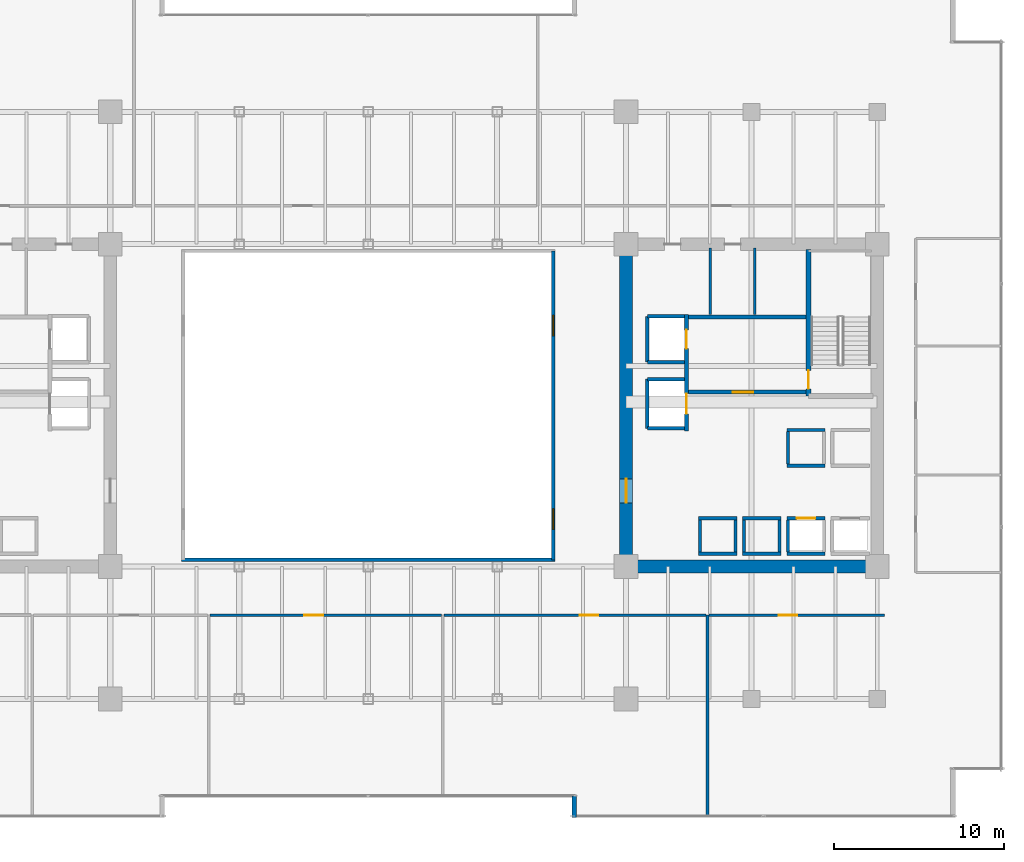
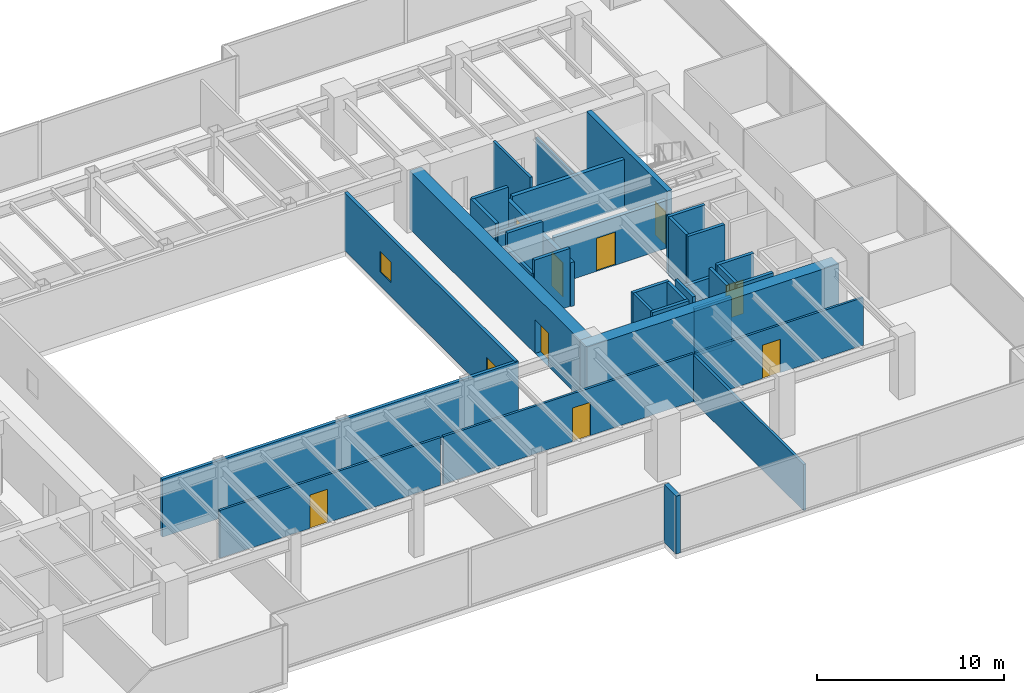
# One storey, part 30 of 35: 35 walls, 9 doors, 2 windows, 11 openings.
"""IFC4 building model written with IfcOpenShell, lengths in metres."""

from ifc_helpers import new_model, si_unit, direction, frame, frame_2d, origin, place, context, subcontext, project, spatial, rectangle, extrude, source, transform, mapped, material, layer, layer_set, type_object, type_shapes, element, fill, save


model = new_model("IFC4")

# Units and contexts
model_context = context("Model", 3, precision=1e-05, world=origin(), true_north=direction((0.0, 1.0)))
body_context = subcontext(model_context, "Body", "Model", "MODEL_VIEW")
ifc_project = project(units=[si_unit("LENGTHUNIT", "METRE"), si_unit("AREAUNIT", "SQUARE_METRE"), si_unit("VOLUMEUNIT", "CUBIC_METRE"), si_unit("PLANEANGLEUNIT", "RADIAN"), si_unit("MASSUNIT", "GRAM", prefix="KILO")], contexts=[model_context])

# Site, building, storey
site_placement = place(None, origin())
site = spatial("IfcSite", under=ifc_project, at=site_placement, CompositionType="ELEMENT")
building_placement = place(site_placement, origin())
building = spatial("IfcBuilding", under=site, at=building_placement, Name="Haelvirn Gate Laboratories", CompositionType="ELEMENT")
storey_placement = place(building_placement, frame((0.0, 0.0, 86.699951171875)))
storey = spatial("IfcBuildingStorey", under=building, at=storey_placement, Name="L21", CompositionType="ELEMENT", Elevation=86.699951171875)

# Walls
ifc_material_1 = material(Name="Thermally-broken bronze aluminium rainscreen & mineral wool", Category="aluminium")
ifc_layer_1 = layer(ifc_material_1, 0.280029296875, Name="EW-TERR-280")
ifc_layer_set_1 = layer_set([ifc_layer_1], Name="Thermally-broken bronze aluminium rainscreen & mineral wool")
wall_type_1 = type_object("IfcWallType", Name="EW-TERR-280", PredefinedType="STANDARD", material=ifc_layer_set_1)
wall_1_placement = place(storey_placement, frame((49.5400390625, 1.2880859375, 0.0), z_axis=(0.0, 0.0, 1.0), x_axis=(0.0, -1.0, 0.0)))
element("IfcWall", 1, at=wall_1_placement, inside=storey, type_object=wall_type_1, Name="L21 Atrium Recess Bronze Return Wall 03", PredefinedType="STANDARD", context=body_context, shape_type="SweptSolid", body=[
    extrude(rectangle(XDim=1.2880859375, YDim=0.280029296875, at=frame_2d((0.64404296875, 0.0))), origin(), (0.0, 0.0, 1.0), 3.780029296875),
])
ifc_material_2 = material(Name="Double-layer acoustic gypsum laboratory partition", Category="gypsum")
ifc_layer_2 = layer(ifc_material_2, 0.159912109375, Name="IW-ACOUST-160")
ifc_layer_set_2 = layer_set([ifc_layer_2], Name="Double-layer acoustic gypsum laboratory partition")
wall_type_2 = type_object("IfcWallType", Name="IW-ACOUST-160", PredefinedType="PARTITIONING", material=ifc_layer_set_2)
wall_2_placement = place(storey_placement, frame((57.39990234375, 0.110107421875, 0.0), z_axis=(0.0, 0.0, 1.0), x_axis=(0.0, 1.0, 0.0)))
element("IfcWall", 2, at=wall_2_placement, inside=storey, type_object=wall_type_2, Name="L21 Interior Wall IW-L21-SDIV-04", PredefinedType="PARTITIONING", context=body_context, shape_type="SweptSolid", body=[
    extrude(rectangle(XDim=11.829833984375, YDim=0.159912109375, at=frame_2d((5.9150390625, 0.0))), origin(), (0.0, 0.0, 1.0), 3.01513671875),
])

# Wall, openings, windows
ifc_material_3 = material(Name="Tempered fire-rated borosilicate glass & anodised aluminium", Category="aluminium")
ifc_layer_3 = layer(ifc_material_3, 0.195068359375, Name="IW-GLAZ-200")
ifc_layer_set_3 = layer_set([ifc_layer_3], Name="Tempered fire-rated borosilicate glass & anodised aluminium")
wall_type_3 = type_object("IfcWallType", Name="IW-GLAZ-200", PredefinedType="SOLIDWALL", material=ifc_layer_set_3)
wall_3_placement = place(storey_placement, frame((48.300048828125, 15.199951171875, 0.0), z_axis=(0.0, 0.0, 1.0), x_axis=(0.0, 1.0, 0.0)))
wall_3 = element("IfcWall", 3, at=wall_3_placement, inside=storey, type_object=wall_type_3, Name="L21 Interior Wall IW-L21-ATRIUM-E", PredefinedType="SOLIDWALL", context=body_context, shape_type="SweptSolid", body=[
    extrude(rectangle(XDim=18.199951171875, YDim=0.195068359375, at=frame_2d((9.10009765625, 0.0))), origin(), (0.0, 0.0, 1.0), 3.780029296875),
])
opening_1_placement = place(wall_3_placement, frame((1.800048828125, 0.0, 0.89990234375)))
opening_1 = element("IfcOpeningElement", 4, at=opening_1_placement, cuts=wall_3, Name="Opening W6", PredefinedType="OPENING", context=body_context, shape_type="SweptSolid", body=[
    extrude(rectangle(XDim=1.199951171875, YDim=1.35009765625, at=frame_2d((0.60009765625, 0.675048828125))), frame((0.0, 0.107421875, 0.0), z_axis=(0.0, -1.0, 0.0), x_axis=(1.0, 0.0, 0.0)), (0.0, 0.0, 1.0), 0.215087890625),
])
opening_2_placement = place(wall_3_placement, frame((13.199951171875, 0.0, 0.89990234375)))
opening_2 = element("IfcOpeningElement", 5, at=opening_2_placement, cuts=wall_3, Name="Opening W6", PredefinedType="OPENING", context=body_context, shape_type="SweptSolid", body=[
    extrude(rectangle(XDim=1.199951171875, YDim=1.35009765625, at=frame_2d((0.60009765625, 0.675048828125))), frame((0.0, 0.107421875, 0.0), z_axis=(0.0, -1.0, 0.0), x_axis=(1.0, 0.0, 0.0)), (0.0, 0.0, 1.0), 0.215087890625),
])
ifc_material_4 = material(Name="Fire-rated EI 120 borosilicate atrium vision glazing", Category="glass")
window_type = type_object("IfcWindowType", Name="WN-ATR-1200", PartitioningType="SINGLE_PANEL", PredefinedType="WINDOW", material=ifc_material_4)
shared_shape_1 = source(origin(), body_context, "Body", "SweptSolid", [
    extrude(rectangle(XDim=1.199951171875, YDim=1.35009765625, at=frame_2d((0.60009765625, 0.675048828125))), frame((0.0, 0.030029296875, 0.0), z_axis=(0.0, -1.0, 0.0), x_axis=(1.0, 0.0, 0.0)), (0.0, 0.0, 1.0), 0.06005859375),
])
type_shapes(window_type, [shared_shape_1])
window_1_placement = place(opening_1_placement, origin())
window_1 = element("IfcWindow", 6, at=window_1_placement, inside=storey, type_object=window_type, Name="L21 Atrium Observation Window 1", OverallHeight=1.35009765625, OverallWidth=1.199951171875, PartitioningType="SINGLE_PANEL", PredefinedType="WINDOW", context=body_context, shape_type="MappedRepresentation", body=[
    mapped(shared_shape_1, transform((0.0, 0.0, 0.0), scale=1.0)),
])
fill(opening_1, window_1)
window_2_placement = place(opening_2_placement, origin())
window_2 = element("IfcWindow", 7, at=window_2_placement, inside=storey, type_object=window_type, Name="L21 Atrium Observation Window 2", OverallHeight=1.35009765625, OverallWidth=1.199951171875, PartitioningType="SINGLE_PANEL", PredefinedType="WINDOW", context=body_context, shape_type="MappedRepresentation", body=[
    mapped(shared_shape_1, transform((0.0, 0.0, 0.0), scale=1.0)),
])
fill(opening_2, window_2)

# Wall
wall_4_placement = place(storey_placement, frame((26.39990234375, 15.199951171875, 0.0), z_axis=(0.0, 0.0, 1.0), x_axis=(1.0, 0.0, 0.0)))
element("IfcWall", 8, at=wall_4_placement, inside=storey, type_object=wall_type_3, Name="L21 Interior Wall IW-L21-ATRIUM-S", PredefinedType="SOLIDWALL", context=body_context, shape_type="SweptSolid", body=[
    extrude(rectangle(XDim=22.0, YDim=0.195068359375, at=frame_2d((11.0, 0.0))), origin(), (0.0, 0.0, 1.0), 3.780029296875),
])

# Wall, opening, door
ifc_material_5 = material(Name="Acoustic mineral-wool gypsum board partition", Category="gypsum")
ifc_layer_4 = layer(ifc_material_5, 0.139892578125, Name="IW-PART-140")
ifc_layer_set_4 = layer_set([ifc_layer_4], Name="Acoustic mineral-wool gypsum board partition")
wall_type_4 = type_object("IfcWallType", Name="IW-PART-140", PredefinedType="PARTITIONING", material=ifc_layer_set_4)
wall_5_placement = place(storey_placement, frame((28.080078125, 11.93994140625, 0.0), z_axis=(0.0, 0.0, 1.0), x_axis=(1.0, 0.0, 0.0)))
wall_5 = element("IfcWall", 9, at=wall_5_placement, inside=storey, type_object=wall_type_4, Name="L21 Interior Wall IW-L21-SCORR-03", PredefinedType="PARTITIONING", context=body_context, shape_type="SweptSolid", body=[
    extrude(rectangle(XDim=13.639892578125, YDim=0.139892578125, at=frame_2d((6.81982421875, 0.0))), origin(), (0.0, 0.0, 1.0), 3.114990234375),
])
opening_3_placement = place(wall_5_placement, frame((5.5595703125, 0.0, 0.0)))
opening_3 = element("IfcOpeningElement", 10, at=opening_3_placement, cuts=wall_5, Name="Opening D1", PredefinedType="OPENING", context=body_context, shape_type="SweptSolid", body=[
    extrude(rectangle(XDim=1.10009765625, YDim=2.179931640625, at=frame_2d((0.550048828125, 1.08984375))), frame((0.0, 0.080078125, 0.0), z_axis=(0.0, -1.0, 0.0), x_axis=(1.0, 0.0, 0.0)), (0.0, 0.0, 1.0), 0.159912109375),
])
ifc_material_6 = material(Name="Vision-panel acoustic solid-core timber lab door", Category="wood")
door_type_1 = type_object("IfcDoorType", Name="DR-LAB-1100", OperationType="NOTDEFINED", PredefinedType="DOOR", material=ifc_material_6)
shared_shape_2 = source(origin(), body_context, "Body", "SweptSolid", [
    extrude(rectangle(XDim=1.10009765625, YDim=2.179931640625, at=frame_2d((0.550048828125, 1.08984375))), frame((0.0, 0.02490234375, 0.0), z_axis=(0.0, -1.0, 0.0), x_axis=(1.0, 0.0, 0.0)), (0.0, 0.0, 1.0), 0.050048828125),
])
type_shapes(door_type_1, [shared_shape_2])
door_1_placement = place(opening_3_placement, origin())
door_1 = element("IfcDoor", 11, at=door_1_placement, inside=storey, type_object=door_type_1, Name="L21 Peer-Review Seminar Room Door S3", OperationType="SINGLE_SWING_RIGHT", OverallHeight=2.179931640625, OverallWidth=1.10009765625, PredefinedType="DOOR", context=body_context, shape_type="MappedRepresentation", body=[
    mapped(shared_shape_2, transform((0.0, 0.0, 0.0), scale=1.0)),
])
fill(opening_3, door_1)

wall_6_placement = place(storey_placement, frame((41.8798828125, 11.93994140625, 0.0), z_axis=(0.0, 0.0, 1.0), x_axis=(1.0, 0.0, 0.0)))
wall_6 = element("IfcWall", 12, at=wall_6_placement, inside=storey, type_object=wall_type_4, Name="L21 Interior Wall IW-L21-SCORR-04", PredefinedType="PARTITIONING", context=body_context, shape_type="SweptSolid", body=[
    extrude(rectangle(XDim=15.440185546875, YDim=0.139892578125, at=frame_2d((7.72021484375, 0.0))), origin(), (0.0, 0.0, 1.0), 3.114990234375),
])
opening_4_placement = place(wall_6_placement, frame((7.98828125, 0.0, 0.0)))
opening_4 = element("IfcOpeningElement", 13, at=opening_4_placement, cuts=wall_6, Name="Opening D1", PredefinedType="OPENING", context=body_context, shape_type="SweptSolid", body=[
    extrude(rectangle(XDim=1.10009765625, YDim=2.179931640625, at=frame_2d((0.550048828125, 1.08984375))), frame((0.0, 0.080078125, 0.0), z_axis=(0.0, -1.0, 0.0), x_axis=(1.0, 0.0, 0.0)), (0.0, 0.0, 1.0), 0.159912109375),
])
door_2_placement = place(opening_4_placement, origin())
door_2 = element("IfcDoor", 14, at=door_2_placement, inside=storey, type_object=door_type_1, Name="L21 Colloquium Conference Room Door S4", OperationType="SINGLE_SWING_LEFT", OverallHeight=2.179931640625, OverallWidth=1.10009765625, PredefinedType="DOOR", context=body_context, shape_type="MappedRepresentation", body=[
    mapped(shared_shape_2, transform((0.0, 0.0, 0.0), scale=1.0)),
])
fill(opening_4, door_2)

wall_7_placement = place(storey_placement, frame((57.47998046875, 11.93994140625, 0.0), z_axis=(0.0, 0.0, 1.0), x_axis=(1.0, 0.0, 0.0)))
wall_7 = element("IfcWall", 15, at=wall_7_placement, inside=storey, type_object=wall_type_4, Name="L21 Interior Wall IW-L21-SCORR-05", PredefinedType="PARTITIONING", context=body_context, shape_type="SweptSolid", body=[
    extrude(rectangle(XDim=10.340087890625, YDim=0.139892578125, at=frame_2d((5.169921875, 0.0))), origin(), (0.0, 0.0, 1.0), 3.114990234375),
])
opening_5_placement = place(wall_7_placement, frame((4.107666015625, 0.0, 0.0)))
opening_5 = element("IfcOpeningElement", 16, at=opening_5_placement, cuts=wall_7, Name="Opening D1", PredefinedType="OPENING", context=body_context, shape_type="SweptSolid", body=[
    extrude(rectangle(XDim=1.10009765625, YDim=2.179931640625, at=frame_2d((0.550048828125, 1.08984375))), frame((0.0, 0.080078125, 0.0), z_axis=(0.0, -1.0, 0.0), x_axis=(1.0, 0.0, 0.0)), (0.0, 0.0, 1.0), 0.159912109375),
])
door_3_placement = place(opening_5_placement, origin())
door_3 = element("IfcDoor", 17, at=door_3_placement, inside=storey, type_object=door_type_1, Name="L21 Protocol Briefing Training Room Door S5", OperationType="SINGLE_SWING_RIGHT", OverallHeight=2.179931640625, OverallWidth=1.10009765625, PredefinedType="DOOR", context=body_context, shape_type="MappedRepresentation", body=[
    mapped(shared_shape_2, transform((0.0, 0.0, 0.0), scale=1.0)),
])
fill(opening_5, door_3)

# Walls
ifc_material_7 = material(Name="Cement-board restroom plumbing chase wall", Category="gypsum")
ifc_layer_5 = layer(ifc_material_7, 0.155029296875, Name="IW-PLUMB-160")
ifc_layer_set_5 = layer_set([ifc_layer_5], Name="Cement-board restroom plumbing chase wall")
wall_type_5 = type_object("IfcWallType", Name="IW-PLUMB-160", PredefinedType="PLUMBINGWALL", material=ifc_layer_set_5)
wall_8_placement = place(storey_placement, frame((60.18994140625, 29.64990234375, 0.0), z_axis=(0.0, 0.0, 1.0), x_axis=(0.0, 1.0, 0.0)))
element("IfcWall", 18, at=wall_8_placement, inside=storey, type_object=wall_type_5, Name="L21 Interior Wall IW-L21-E-CDIV-0", PredefinedType="PLUMBINGWALL", context=body_context, shape_type="SweptSolid", body=[
    extrude(rectangle(XDim=3.93017578125, YDim=0.155029296875, at=frame_2d((1.965087890625, 0.0))), origin(), (0.0, 0.0, 1.0), 3.114990234375),
])
wall_9_placement = place(storey_placement, frame((57.56005859375, 29.64990234375, 0.0), z_axis=(0.0, 0.0, 1.0), x_axis=(0.0, 1.0, 0.0)))
element("IfcWall", 19, at=wall_9_placement, inside=storey, type_object=wall_type_5, Name="L21 Interior Wall IW-L21-E-CDIV-1", PredefinedType="PLUMBINGWALL", context=body_context, shape_type="SweptSolid", body=[
    extrude(rectangle(XDim=3.93017578125, YDim=0.155029296875, at=frame_2d((1.965087890625, 0.0))), origin(), (0.0, 0.0, 1.0), 3.780029296875),
])
ifc_material_8 = material(Name="Concrete C40/50", Category="concrete")
ifc_layer_6 = layer(ifc_material_8, 0.179931640625, Name="IW-SHAFT-180")
ifc_layer_set_6 = layer_set([ifc_layer_6], Name="Concrete C40/50")
wall_type_6 = type_object("IfcWallType", Name="IW-SHAFT-180", PredefinedType="SOLIDWALL", material=ifc_layer_set_6)
for number, where, z_axis, x_axis, name in (
    (20, (62.14990234375, 15.64990234375, 0.0), (0.0, 0.0, 1.0), (0.0, 1.0, 0.0), "L21 Interior Wall IW-L21-PL4-SD"),
    (21, (59.550048828125, 15.64990234375, 0.0), (0.0, 0.0, 1.0), (0.0, 1.0, 0.0), "L21 Interior Wall IW-L21-PL7-SD"),
    (22, (61.64990234375, 15.64990234375, 0.0), (0.0, 0.0, 1.0), (0.0, 1.0, 0.0), "L21 Interior Wall IW-L21-PL7-SDE"),
    (23, (56.949951171875, 15.64990234375, 0.0), (0.0, 0.0, 1.0), (0.0, 1.0, 0.0), "L21 Interior Wall IW-L21-PL8-SD"),
    (24, (59.050048828125, 15.64990234375, 0.0), (0.0, 0.0, 1.0), (0.0, 1.0, 0.0), "L21 Interior Wall IW-L21-PL8-SDE"),
):
    element("IfcWall", number, at=place(storey_placement, frame(where, z_axis=z_axis, x_axis=x_axis)), inside=storey, type_object=wall_type_6, Name=name, PredefinedType="SOLIDWALL", context=body_context, shape_type="SweptSolid", body=[
        extrude(rectangle(XDim=1.900146484375, YDim=0.179931640625, at=frame_2d((0.9501953125, 0.0))), origin(), (0.0, 0.0, 1.0), 3.780029296875),
    ])
wall_10_placement = place(storey_placement, frame((62.14990234375, 20.85009765625, 0.0), z_axis=(0.0, 0.0, 1.0), x_axis=(0.0, 1.0, 0.0)))
element("IfcWall", 25, at=wall_10_placement, inside=storey, type_object=wall_type_6, Name="L21 Interior Wall IW-L21-PL12-SD", PredefinedType="SOLIDWALL", context=body_context, shape_type="SweptSolid", body=[
    extrude(rectangle(XDim=1.89990234375, YDim=0.179931640625, at=frame_2d((0.949951171875, 0.0))), origin(), (0.0, 0.0, 1.0), 3.780029296875),
])

# Wall, opening, door
ifc_layer_7 = layer(ifc_material_8, 0.199951171875, Name="IW-SHAFT-200")
ifc_layer_set_7 = layer_set([ifc_layer_7], Name="Concrete C40/50")
wall_type_7 = type_object("IfcWallType", Name="IW-SHAFT-200", PredefinedType="SOLIDWALL", material=ifc_layer_set_7)
wall_11_placement = place(storey_placement, frame((62.070068359375, 17.64990234375, 0.0), z_axis=(0.0, 0.0, 1.0), x_axis=(1.0, 0.0, 0.0)))
wall_11 = element("IfcWall", 26, at=wall_11_placement, inside=storey, type_object=wall_type_7, Name="L21 Interior Wall IW-L21-PL4-FR", PredefinedType="SOLIDWALL", context=body_context, shape_type="SweptSolid", body=[
    extrude(rectangle(XDim=2.260009765625, YDim=0.199951171875, at=frame_2d((1.1298828125, 0.0))), origin(), (0.0, 0.0, 1.0), 3.780029296875),
])
opening_6_placement = place(wall_11_placement, frame((0.580078125, 0.0, 0.0)))
opening_6 = element("IfcOpeningElement", 27, at=opening_6_placement, cuts=wall_11, Name="Opening LD2", PredefinedType="OPENING", context=body_context, shape_type="SweptSolid", body=[
    extrude(rectangle(XDim=1.10009765625, YDim=2.219970703125, at=frame_2d((0.550048828125, 1.10986328125))), frame((0.0, 0.10986328125, 0.0), z_axis=(0.0, -1.0, 0.0), x_axis=(1.0, 0.0, 0.0)), (0.0, 0.0, 1.0), 0.219970703125),
])
ifc_material_9 = material(Name="Bronze stainless 316L sliding lift landing door")
door_type_2 = type_object("IfcDoorType", Name="DR-LD-1100", OperationType="NOTDEFINED", PredefinedType="USERDEFINED", material=ifc_material_9)
shared_shape_3 = source(origin(), body_context, "Body", "SweptSolid", [
    extrude(rectangle(XDim=1.10009765625, YDim=2.219970703125, at=frame_2d((0.550048828125, 1.10986328125))), frame((0.0, 0.02490234375, 0.0), z_axis=(0.0, -1.0, 0.0), x_axis=(1.0, 0.0, 0.0)), (0.0, 0.0, 1.0), 0.050048828125),
])
type_shapes(door_type_2, [shared_shape_3])
door_4_placement = place(opening_6_placement, origin())
door_4 = element("IfcDoor", 28, at=door_4_placement, inside=storey, type_object=door_type_2, Name="L21 Passenger Lift PL4 Landing Door", ObjectType="LANDING_DOOR", OperationType="SLIDING_TO_RIGHT", OverallHeight=2.219970703125, OverallWidth=1.10009765625, PredefinedType="USERDEFINED", context=body_context, shape_type="MappedRepresentation", body=[
    mapped(shared_shape_3, transform((0.0, 0.0, 0.0), scale=1.0)),
])
fill(opening_6, door_4)

# Walls
wall_12_placement = place(storey_placement, frame((62.070068359375, 15.550048828125, 0.0), z_axis=(0.0, 0.0, 1.0), x_axis=(1.0, 0.0, 0.0)))
element("IfcWall", 29, at=wall_12_placement, inside=storey, type_object=wall_type_7, Name="L21 Interior Wall IW-L21-PL4-BK", PredefinedType="SOLIDWALL", context=body_context, shape_type="SweptSolid", body=[
    extrude(rectangle(XDim=2.260009765625, YDim=0.199951171875, at=frame_2d((1.1298828125, 0.0))), origin(), (0.0, 0.0, 1.0), 3.780029296875),
])
for number, where, z_axis, x_axis, name in (
    (30, (59.469970703125, 17.64990234375, 0.0), (0.0, 0.0, 1.0), (1.0, 0.0, 0.0), "L21 Interior Wall IW-L21-PL7-FR"),
    (31, (59.469970703125, 15.550048828125, 0.0), (0.0, 0.0, 1.0), (1.0, 0.0, 0.0), "L21 Interior Wall IW-L21-PL7-BK"),
):
    element("IfcWall", number, at=place(storey_placement, frame(where, z_axis=z_axis, x_axis=x_axis)), inside=storey, type_object=wall_type_7, Name=name, PredefinedType="SOLIDWALL", context=body_context, shape_type="SweptSolid", body=[
        extrude(rectangle(XDim=2.260009765625, YDim=0.199951171875, at=frame_2d((1.1298828125, 0.0))), origin(), (0.0, 0.0, 1.0), 3.114990234375),
    ])
for number, where, z_axis, x_axis, name in (
    (32, (56.8701171875, 17.64990234375, 0.0), (0.0, 0.0, 1.0), (1.0, 0.0, 0.0), "L21 Interior Wall IW-L21-PL8-FR"),
    (33, (56.8701171875, 15.550048828125, 0.0), (0.0, 0.0, 1.0), (1.0, 0.0, 0.0), "L21 Interior Wall IW-L21-PL8-BK"),
):
    element("IfcWall", number, at=place(storey_placement, frame(where, z_axis=z_axis, x_axis=x_axis)), inside=storey, type_object=wall_type_7, Name=name, PredefinedType="SOLIDWALL", context=body_context, shape_type="SweptSolid", body=[
        extrude(rectangle(XDim=2.259765625, YDim=0.199951171875, at=frame_2d((1.1298828125, 0.0))), origin(), (0.0, 0.0, 1.0), 3.780029296875),
    ])
for number, where, z_axis, x_axis, name in (
    (34, (62.070068359375, 20.75, 0.0), (0.0, 0.0, 1.0), (1.0, 0.0, 0.0), "L21 Interior Wall IW-L21-PL12-FR"),
    (35, (62.070068359375, 22.85009765625, 0.0), (0.0, 0.0, 1.0), (1.0, 0.0, 0.0), "L21 Interior Wall IW-L21-PL12-BK"),
):
    element("IfcWall", number, at=place(storey_placement, frame(where, z_axis=z_axis, x_axis=x_axis)), inside=storey, type_object=wall_type_7, Name=name, PredefinedType="SOLIDWALL", context=body_context, shape_type="SweptSolid", body=[
        extrude(rectangle(XDim=2.260009765625, YDim=0.199951171875, at=frame_2d((1.1298828125, 0.0))), origin(), (0.0, 0.0, 1.0), 3.780029296875),
    ])
wall_13_placement = place(storey_placement, frame((53.85009765625, 26.85009765625, 0.0), z_axis=(0.0, 0.0, 1.0), x_axis=(0.0, 1.0, 0.0)))
element("IfcWall", 36, at=wall_13_placement, inside=storey, type_object=wall_type_7, Name="L21 Interior Wall IW-L21-FL2-BK", PredefinedType="SOLIDWALL", context=body_context, shape_type="SweptSolid", body=[
    extrude(rectangle(XDim=2.699951171875, YDim=0.199951171875, at=frame_2d((1.35009765625, 0.0))), origin(), (0.0, 0.0, 1.0), 3.780029296875),
])
wall_14_placement = place(storey_placement, frame((53.85009765625, 29.550048828125, 0.0), z_axis=(0.0, 0.0, 1.0), x_axis=(1.0, 0.0, 0.0)))
element("IfcWall", 37, at=wall_14_placement, inside=storey, type_object=wall_type_7, Name="L21 Interior Wall IW-L21-FL2-N", PredefinedType="SOLIDWALL", context=body_context, shape_type="SweptSolid", body=[
    extrude(rectangle(XDim=2.18994140625, YDim=0.199951171875, at=frame_2d((1.094970703125, 0.0))), origin(), (0.0, 0.0, 1.0), 3.780029296875),
])
wall_15_placement = place(storey_placement, frame((53.85009765625, 26.85009765625, 0.0), z_axis=(0.0, 0.0, 1.0), x_axis=(1.0, 0.0, 0.0)))
element("IfcWall", 38, at=wall_15_placement, inside=storey, type_object=wall_type_7, Name="L21 Interior Wall IW-L21-FL2-S", PredefinedType="SOLIDWALL", context=body_context, shape_type="SweptSolid", body=[
    extrude(rectangle(XDim=2.18994140625, YDim=0.199951171875, at=frame_2d((1.094970703125, 0.0))), origin(), (0.0, 0.0, 1.0), 3.177001953125),
])
wall_16_placement = place(storey_placement, frame((53.85009765625, 22.949951171875, 0.0), z_axis=(0.0, 0.0, 1.0), x_axis=(0.0, 1.0, 0.0)))
element("IfcWall", 39, at=wall_16_placement, inside=storey, type_object=wall_type_7, Name="L21 Interior Wall IW-L21-SL2-BK", PredefinedType="SOLIDWALL", context=body_context, shape_type="SweptSolid", body=[
    extrude(rectangle(XDim=2.900146484375, YDim=0.199951171875, at=frame_2d((1.4501953125, 0.0))), origin(), (0.0, 0.0, 1.0), 2.864990234375),
])
for number, where, z_axis, x_axis, name in (
    (40, (53.85009765625, 25.85009765625, 0.0), (0.0, 0.0, 1.0), (1.0, 0.0, 0.0), "L21 Interior Wall IW-L21-SL2-N"),
    (41, (53.85009765625, 22.949951171875, 0.0), (0.0, 0.0, 1.0), (1.0, 0.0, 0.0), "L21 Interior Wall IW-L21-SL2-S"),
):
    element("IfcWall", number, at=place(storey_placement, frame(where, z_axis=z_axis, x_axis=x_axis)), inside=storey, type_object=wall_type_7, Name=name, PredefinedType="SOLIDWALL", context=body_context, shape_type="SweptSolid", body=[
        extrude(rectangle(XDim=2.18994140625, YDim=0.199951171875, at=frame_2d((1.094970703125, 0.0))), origin(), (0.0, 0.0, 1.0), 3.780029296875),
    ])

# Wall, opening, door
ifc_layer_8 = layer(ifc_material_8, 0.239990234375, Name="IW-SHAFT-240")
ifc_layer_set_8 = layer_set([ifc_layer_8], Name="Concrete C40/50")
wall_type_8 = type_object("IfcWallType", Name="IW-SHAFT-240", PredefinedType="SOLIDWALL", material=ifc_layer_set_8)
wall_17_placement = place(storey_placement, frame((56.280029296875, 25.080078125, 0.0), z_axis=(0.0, 0.0, 1.0), x_axis=(1.0, 0.0, 0.0)))
wall_17 = element("IfcWall", 42, at=wall_17_placement, inside=storey, type_object=wall_type_8, Name="L21 Interior Wall IW-L21-E-FF-S", PredefinedType="SOLIDWALL", context=body_context, shape_type="SweptSolid", body=[
    extrude(rectangle(XDim=6.919921875, YDim=0.239990234375, at=frame_2d((3.4599609375, 0.0))), origin(), (0.0, 0.0, 1.0), 3.114990234375),
])
opening_7_placement = place(wall_17_placement, frame((2.60009765625, 0.0, 0.0)))
opening_7 = element("IfcOpeningElement", 43, at=opening_7_placement, cuts=wall_17, Name="Opening FD2", PredefinedType="OPENING", context=body_context, shape_type="SweptSolid", body=[
    extrude(rectangle(XDim=1.199951171875, YDim=2.159912109375, at=frame_2d((0.60009765625, 1.080078125))), frame((0.0, 0.1298828125, 0.0), z_axis=(0.0, -1.0, 0.0), x_axis=(1.0, 0.0, 0.0)), (0.0, 0.0, 1.0), 0.260009765625),
])
ifc_material_10 = material(Name="Fire-rated steel SM355 compartment door", Category="steel")
door_type_3 = type_object("IfcDoorType", Name="DR-FD-1200", OperationType="NOTDEFINED", PredefinedType="DOOR", material=ifc_material_10)
shared_shape_4 = source(origin(), body_context, "Body", "SweptSolid", [
    extrude(rectangle(XDim=1.199951171875, YDim=2.159912109375, at=frame_2d((0.60009765625, 1.080078125))), frame((0.0, 0.02490234375, 0.0), z_axis=(0.0, -1.0, 0.0), x_axis=(1.0, 0.0, 0.0)), (0.0, 0.0, 1.0), 0.050048828125),
])
type_shapes(door_type_3, [shared_shape_4])
door_5_placement = place(opening_7_placement, origin())
door_5 = element("IfcDoor", 44, at=door_5_placement, inside=storey, type_object=door_type_3, Name="L21 East Firefighting Lobby Door", OperationType="SINGLE_SWING_LEFT", OverallHeight=2.159912109375, OverallWidth=1.199951171875, PredefinedType="DOOR", context=body_context, shape_type="MappedRepresentation", body=[
    mapped(shared_shape_4, transform((0.0, 0.0, 0.0), scale=1.0)),
])
fill(opening_7, door_5)

# Wall
wall_18_placement = place(storey_placement, frame((56.280029296875, 29.52001953125, 0.0), z_axis=(0.0, 0.0, 1.0), x_axis=(1.0, 0.0, 0.0)))
element("IfcWall", 45, at=wall_18_placement, inside=storey, type_object=wall_type_8, Name="L21 Interior Wall IW-L21-E-FF-N", PredefinedType="SOLIDWALL", context=body_context, shape_type="SweptSolid", body=[
    extrude(rectangle(XDim=6.919921875, YDim=0.239990234375, at=frame_2d((3.4599609375, 0.0))), origin(), (0.0, 0.0, 1.0), 3.114990234375),
])

# Wall, openings, doors
wall_19_placement = place(storey_placement, frame((56.159912109375, 22.800048828125, 0.0), z_axis=(0.0, 0.0, 1.0), x_axis=(0.0, 1.0, 0.0)))
wall_19 = element("IfcWall", 46, at=wall_19_placement, inside=storey, type_object=wall_type_8, Name="L21 Interior Wall IW-L21-E-FF-E", PredefinedType="SOLIDWALL", context=body_context, shape_type="SweptSolid", body=[
    extrude(rectangle(XDim=6.849853515625, YDim=0.239990234375, at=frame_2d((3.4248046875, 0.0))), origin(), (0.0, 0.0, 1.0), 2.864990234375),
])
opening_8_placement = place(wall_19_placement, frame((4.85009765625, 0.0, 0.0)))
opening_8 = element("IfcOpeningElement", 47, at=opening_8_placement, cuts=wall_19, Name="Opening LD2", PredefinedType="OPENING", context=body_context, shape_type="SweptSolid", body=[
    extrude(rectangle(XDim=1.10009765625, YDim=2.219970703125, at=frame_2d((0.550048828125, 1.10986328125))), frame((0.0, 0.1298828125, 0.0), z_axis=(0.0, -1.0, 0.0), x_axis=(1.0, 0.0, 0.0)), (0.0, 0.0, 1.0), 0.260009765625),
])
opening_9_placement = place(wall_19_placement, frame((1.0, 0.0, 0.0)))
opening_9 = element("IfcOpeningElement", 48, at=opening_9_placement, cuts=wall_19, Name="Opening LD1", PredefinedType="OPENING", context=body_context, shape_type="SweptSolid", body=[
    extrude(rectangle(XDim=1.199951171875, YDim=2.219970703125, at=frame_2d((0.60009765625, 1.10986328125))), frame((0.0, 0.1298828125, 0.0), z_axis=(0.0, -1.0, 0.0), x_axis=(1.0, 0.0, 0.0)), (0.0, 0.0, 1.0), 0.260009765625),
])
door_6_placement = place(opening_8_placement, origin())
door_6 = element("IfcDoor", 49, at=door_6_placement, inside=storey, type_object=door_type_2, Name="L21 Firefighting Lift FL2 Landing Door", ObjectType="LANDING_DOOR", OperationType="SLIDING_TO_RIGHT", OverallHeight=2.219970703125, OverallWidth=1.10009765625, PredefinedType="USERDEFINED", context=body_context, shape_type="MappedRepresentation", body=[
    mapped(shared_shape_3, transform((0.0, 0.0, 0.0), scale=1.0)),
])
fill(opening_8, door_6)
ifc_material_11 = material(Name="Stainless steel 316L sliding goods landing door", Category="steel")
door_type_4 = type_object("IfcDoorType", Name="DR-LD-1200", OperationType="NOTDEFINED", PredefinedType="USERDEFINED", material=ifc_material_11)
shared_shape_5 = source(origin(), body_context, "Body", "SweptSolid", [
    extrude(rectangle(XDim=1.199951171875, YDim=2.219970703125, at=frame_2d((0.60009765625, 1.10986328125))), frame((0.0, 0.02490234375, 0.0), z_axis=(0.0, -1.0, 0.0), x_axis=(1.0, 0.0, 0.0)), (0.0, 0.0, 1.0), 0.050048828125),
])
type_shapes(door_type_4, [shared_shape_5])
door_7_placement = place(opening_9_placement, origin())
door_7 = element("IfcDoor", 50, at=door_7_placement, inside=storey, type_object=door_type_4, Name="L21 Service Lift SL2 Landing Door", ObjectType="LANDING_DOOR", OperationType="SLIDING_TO_LEFT", OverallHeight=2.219970703125, OverallWidth=1.199951171875, PredefinedType="USERDEFINED", context=body_context, shape_type="MappedRepresentation", body=[
    mapped(shared_shape_5, transform((0.0, 0.0, 0.0), scale=1.0)),
])
fill(opening_9, door_7)

# Wall
ifc_material_12 = material(Name="Concrete C70/85", Category="concrete")
ifc_layer_9 = layer(ifc_material_12, 0.75, Name="SW-CORE-750")
ifc_layer_set_9 = layer_set([ifc_layer_9], Name="Concrete C70/85")
wall_type_9 = type_object("IfcWallType", Name="SW-CORE-750", PredefinedType="SHEAR", material=ifc_layer_set_9)
wall_20_placement = place(storey_placement, frame((52.22509765625, 14.800048828125, 0.0), z_axis=(0.0, 0.0, 1.0), x_axis=(1.0, 0.0, 0.0)))
element("IfcWall", 51, at=wall_20_placement, inside=storey, type_object=wall_type_9, Name="L21 E Core Shear Wall S", PredefinedType="SHEAR", context=body_context, shape_type="SweptSolid", body=[
    extrude(rectangle(XDim=15.5498046875, YDim=0.75, at=frame_2d((7.77490234375, 0.0))), origin(), (0.0, 0.0, 1.0), 3.780029296875),
])

# Wall, opening, door
wall_21_placement = place(storey_placement, frame((52.60009765625, 15.175048828125, 0.0), z_axis=(0.0, 0.0, 1.0), x_axis=(0.0, 1.0, 0.0)))
wall_21 = element("IfcWall", 52, at=wall_21_placement, inside=storey, type_object=wall_type_9, Name="L21 E Core Shear Wall W", PredefinedType="SHEAR", context=body_context, shape_type="SweptSolid", body=[
    extrude(rectangle(XDim=18.25, YDim=0.75, at=frame_2d((9.125, 0.0))), origin(), (0.0, 0.0, 1.0), 3.780029296875),
])
opening_10_placement = place(wall_21_placement, frame((3.375, 0.0, 0.0)))
opening_10 = element("IfcOpeningElement", 53, at=opening_10_placement, cuts=wall_21, Name="Opening FD1", PredefinedType="OPENING", context=body_context, shape_type="SweptSolid", body=[
    extrude(rectangle(XDim=1.419921875, YDim=2.199951171875, at=frame_2d((0.7099609375, 1.10009765625))), frame((0.0, 0.385009765625, 0.0), z_axis=(0.0, -1.0, 0.0), x_axis=(1.0, 0.0, 0.0)), (0.0, 0.0, 1.0), 0.77001953125),
])
ifc_material_13 = material(Name="Fire-rated double steel SM355 lobby door", Category="steel")
door_type_5 = type_object("IfcDoorType", Name="DR-FD-1400", OperationType="NOTDEFINED", PredefinedType="DOOR", material=ifc_material_13)
shared_shape_6 = source(origin(), body_context, "Body", "SweptSolid", [
    extrude(rectangle(XDim=1.419921875, YDim=2.199951171875, at=frame_2d((0.7099609375, 1.10009765625))), frame((0.0, 0.02490234375, 0.0), z_axis=(0.0, -1.0, 0.0), x_axis=(1.0, 0.0, 0.0)), (0.0, 0.0, 1.0), 0.050048828125),
])
type_shapes(door_type_5, [shared_shape_6])
door_8_placement = place(opening_10_placement, origin())
door_8 = element("IfcDoor", 54, at=door_8_placement, inside=storey, type_object=door_type_5, Name="L21 East Core Lift Lobby Fire Door", OperationType="DOUBLE_DOOR_SINGLE_SWING", OverallHeight=2.199951171875, OverallWidth=1.419921875, PredefinedType="DOOR", context=body_context, shape_type="MappedRepresentation", body=[
    mapped(shared_shape_6, transform((0.0, 0.0, 0.0), scale=1.0)),
])
fill(opening_10, door_8)

ifc_material_14 = material(Name="Concrete C50/60", Category="concrete")
ifc_layer_10 = layer(ifc_material_14, 0.300048828125, Name="SW-STAIR-300")
ifc_layer_set_10 = layer_set([ifc_layer_10], Name="Concrete C50/60")
wall_type_10 = type_object("IfcWallType", Name="SW-STAIR-300", PredefinedType="SHEAR", material=ifc_layer_set_10)
wall_22_placement = place(storey_placement, frame((63.35009765625, 24.85009765625, 0.0), z_axis=(0.0, 0.0, 1.0), x_axis=(0.0, 1.0, 0.0)))
wall_22 = element("IfcWall", 55, at=wall_22_placement, inside=storey, type_object=wall_type_10, Name="L21 E Core Stair Shaft Structural Wall IN", PredefinedType="SHEAR", context=body_context, shape_type="SweptSolid", body=[
    extrude(rectangle(XDim=8.6298828125, YDim=0.300048828125, at=frame_2d((4.31494140625, 0.0))), origin(), (0.0, 0.0, 1.0), 3.780029296875),
])
opening_11_placement = place(wall_22_placement, frame((0.419921875, 0.0, 0.0)))
opening_11 = element("IfcOpeningElement", 56, at=opening_11_placement, cuts=wall_22, Name="Opening FD3", PredefinedType="OPENING", context=body_context, shape_type="SweptSolid", body=[
    extrude(rectangle(XDim=1.10009765625, YDim=2.14990234375, at=frame_2d((0.550048828125, 1.074951171875))), frame((0.0, 0.16015625, 0.0), z_axis=(0.0, -1.0, 0.0), x_axis=(1.0, 0.0, 0.0)), (0.0, 0.0, 1.0), 0.320068359375),
])
ifc_material_15 = material(Name="Fire-rated steel SM355 escape stair door", Category="steel")
door_type_6 = type_object("IfcDoorType", Name="DR-FD-1100", OperationType="NOTDEFINED", PredefinedType="DOOR", material=ifc_material_15)
shared_shape_7 = source(origin(), body_context, "Body", "SweptSolid", [
    extrude(rectangle(XDim=1.10009765625, YDim=2.14990234375, at=frame_2d((0.550048828125, 1.074951171875))), frame((0.0, 0.02490234375, 0.0), z_axis=(0.0, -1.0, 0.0), x_axis=(1.0, 0.0, 0.0)), (0.0, 0.0, 1.0), 0.050048828125),
])
type_shapes(door_type_6, [shared_shape_7])
door_9_placement = place(opening_11_placement, origin())
door_9 = element("IfcDoor", 57, at=door_9_placement, inside=storey, type_object=door_type_6, Name="L21 Escape Stair ST2 Fire Door", OperationType="SINGLE_SWING_RIGHT", OverallHeight=2.14990234375, OverallWidth=1.10009765625, PredefinedType="DOOR", context=body_context, shape_type="MappedRepresentation", body=[
    mapped(shared_shape_7, transform((0.0, 0.0, 0.0), scale=1.0)),
])
fill(opening_11, door_9)

save(model, "model.ifc")
